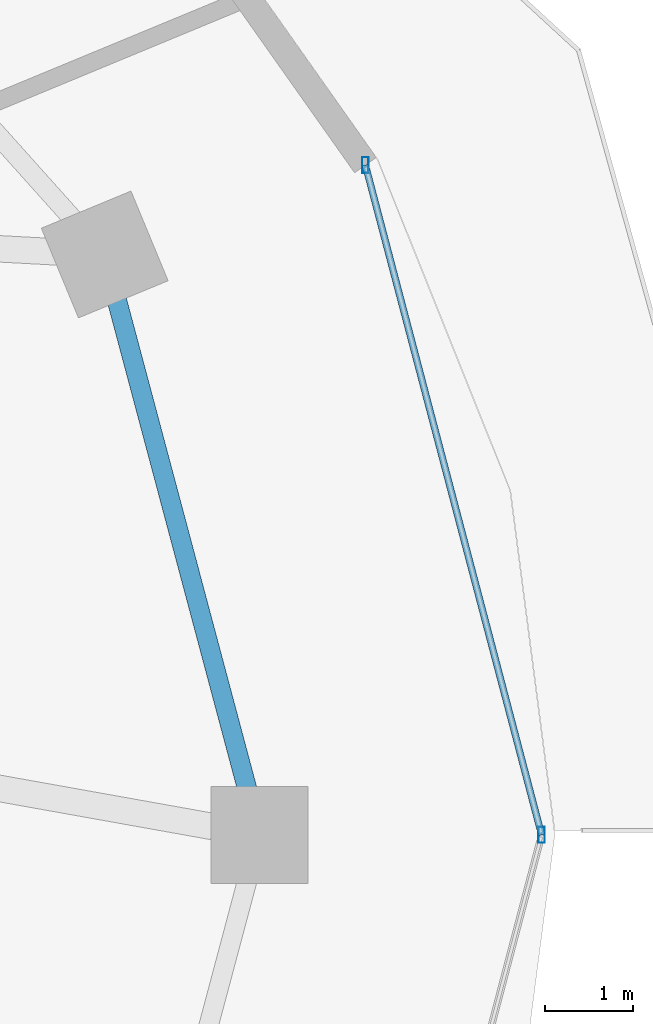
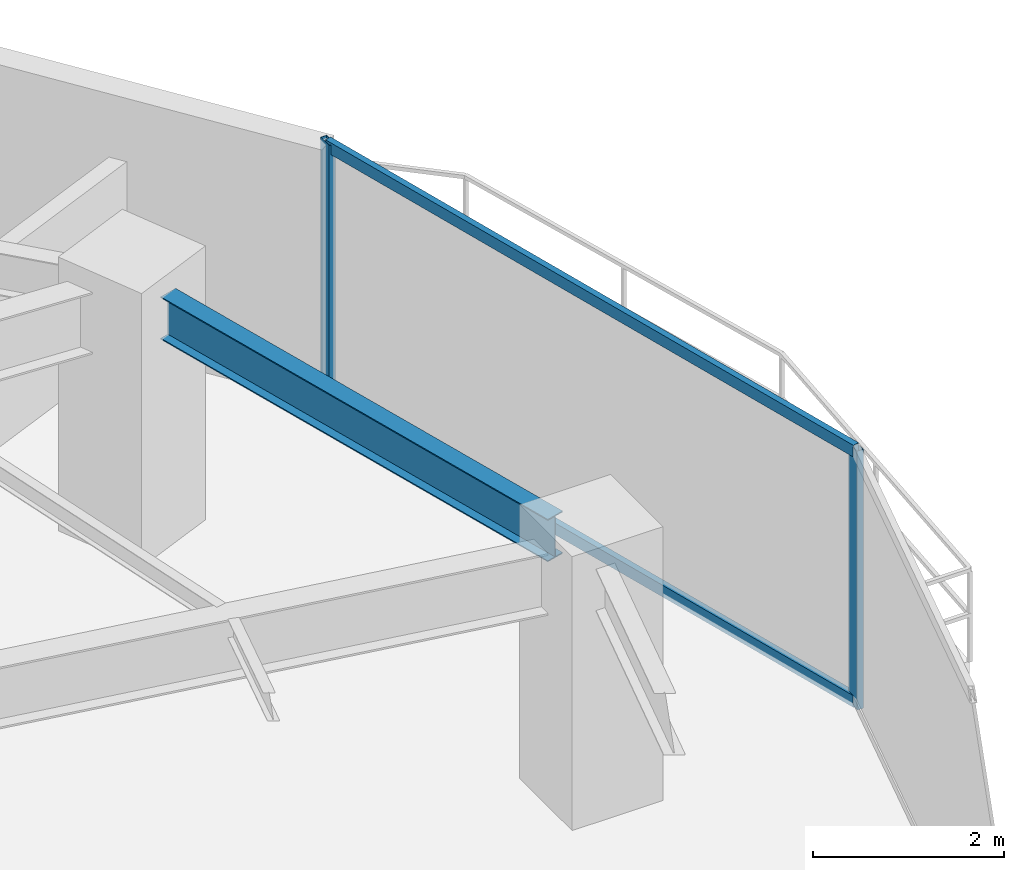
# One storey, part 16 of 30: 4 members, 1 beam, 1 element without a shape of its own.
"""IFC4 building model written with IfcOpenShell, lengths in metres."""

from ifc_helpers import new_model, si_unit, direction, frame, origin, origin_2d, place, context, subcontext, project, spatial, hollow_rectangle, i_section, extrude, material, material_profile, profile_set, type_object, element, aggregate, save


model = new_model("IFC4")

# Units and contexts
model_context = context("Model", 3, precision=1e-05, world=origin(), true_north=direction((0.0, 1.0)))
body_context = subcontext(model_context, "Body", "Model", "MODEL_VIEW")
ifc_project = project(units=[si_unit("LENGTHUNIT", "METRE"), si_unit("AREAUNIT", "SQUARE_METRE"), si_unit("VOLUMEUNIT", "CUBIC_METRE"), si_unit("PLANEANGLEUNIT", "RADIAN"), si_unit("MASSUNIT", "GRAM", prefix="KILO")], contexts=[model_context])

# Site, building, storey
site_placement = place(None, origin())
site = spatial("IfcSite", under=ifc_project, at=site_placement, CompositionType="ELEMENT")
building_placement = place(site_placement, origin())
building = spatial("IfcBuilding", under=site, at=building_placement, Name="Vorneva Point Tower", CompositionType="ELEMENT")
storey_placement = place(building_placement, frame((0.0, 0.0, 106.800048828125)))
storey = spatial("IfcBuildingStorey", under=building, at=storey_placement, Name="L28", CompositionType="ELEMENT", Elevation=106.800048828125)

# Beam
ifc_material_1 = material(Name="Steel S355", Category="steel")
ifc_material_profile_1 = material_profile(ifc_material_1, i_section(OverallWidth=0.219970703125, OverallDepth=0.54296875, WebThickness=0.009521484375, FlangeThickness=0.013427734375, at=origin_2d()), Name="55B1")
ifc_profile_set_1 = profile_set([ifc_material_profile_1], Name="Steel S355")
beam_type = type_object("IfcBeamType", Name="BM-SPN-55B1", PredefinedType="SPANDREL", material=ifc_profile_set_1)
beam_placement = place(storey_placement, frame((60.912109375, 26.516845703125, 2.968505859375), z_axis=(-0.257572674071, 0.966258928845, 0.0), x_axis=(-0.966258928845, -0.257572674071, 0.0)))
element("IfcBeam", 1, at=beam_placement, inside=storey, type_object=beam_type, Name="L28 Perimeter Spandrel Ring Beam 01", PredefinedType="SPANDREL", context=body_context, shape_type="SweptSolid", body=[
    extrude(i_section(OverallWidth=0.219970703125, OverallDepth=0.54296875, WebThickness=0.009521484375, FlangeThickness=0.013427734375, at=origin_2d()), origin(), (0.0, 0.0, 1.0), 5.7421875),
])

# Curtain wall, members
ifc_material_2 = material(Name="Pale anodised aluminium", Category="aluminium")
curtain_wall_type = type_object("IfcCurtainWallType", Name="CW-HTL-SYS", PredefinedType="NOTDEFINED", material=ifc_material_2)
curtain_wall_placement = place(storey_placement, origin())
curtain_wall = element("IfcCurtainWall", 2, at=curtain_wall_placement, inside=storey, type_object=curtain_wall_type, Name="L28 Unitised Curtain Wall CW-L28-R01", PredefinedType="NOTDEFINED")
ifc_material_profile_2 = material_profile(ifc_material_2, hollow_rectangle(XDim=0.074951171875, YDim=0.179931640625, WallThickness=0.00390625, at=origin_2d()), Name="AL-MUL 180x75x4")
ifc_profile_set_2 = profile_set([ifc_material_profile_2], Name="Pale anodised aluminium")
member_type_1 = type_object("IfcMemberType", Name="CW-MUL-180", PredefinedType="MULLION", material=ifc_profile_set_2)
member_1_placement = place(storey_placement, frame((64.25, 26.0, -0.0400390625), z_axis=(0.0, 0.0, 1.0), x_axis=(1.0, 0.0, 0.0)))
member_1 = element("IfcMember", 3, at=member_1_placement, type_object=member_type_1, Name="CW-L28-R01 Mullion 03", PredefinedType="MULLION", context=body_context, shape_type="SweptSolid", body=[
    extrude(hollow_rectangle(XDim=0.074951171875, YDim=0.179931640625, WallThickness=0.00390625, at=origin_2d()), origin(), (0.0, 0.0, 1.0), 3.31005859375),
])
member_2_placement = place(storey_placement, frame((62.251708984375, 33.59619140625, -0.0400390625), z_axis=(0.0, 0.0, 1.0), x_axis=(1.0, 0.0, 0.0)))
member_2 = element("IfcMember", 4, at=member_2_placement, type_object=member_type_1, Name="CW-L28-R01 Mullion 04", PredefinedType="MULLION", context=body_context, shape_type="SweptSolid", body=[
    extrude(hollow_rectangle(XDim=0.074951171875, YDim=0.179931640625, WallThickness=0.00390625, at=origin_2d()), origin(), (0.0, 0.0, 1.0), 3.31005859375),
])
ifc_material_profile_3 = material_profile(ifc_material_2, hollow_rectangle(XDim=0.074951171875, YDim=0.14990234375, WallThickness=0.00390625, at=origin_2d()), Name="AL-TRN 150x75x4")
ifc_profile_set_3 = profile_set([ifc_material_profile_3], Name="Pale anodised aluminium")
member_type_2 = type_object("IfcMemberType", Name="CW-TRN-150", PredefinedType="USERDEFINED", material=ifc_profile_set_3)
member_3_placement = place(storey_placement, frame((64.25, 26.0, 0.02001953125), z_axis=(-0.254409150465, 0.967096677773, 0.0), x_axis=(-0.967096677773, -0.254409150465, 0.0)))
member_3 = element("IfcMember", 5, at=member_3_placement, type_object=member_type_2, Name="CW-L28-R01 Transom 03.1", ObjectType="TRANSOM", PredefinedType="USERDEFINED", context=body_context, shape_type="SweptSolid", body=[
    extrude(hollow_rectangle(XDim=0.074951171875, YDim=0.14990234375, WallThickness=0.00390625, at=origin_2d()), origin(), (0.0, 0.0, 1.0), 7.854736328125),
])
member_4_placement = place(storey_placement, frame((64.25, 26.0, 3.219970703125), z_axis=(-0.254409150465, 0.967096677773, 0.0), x_axis=(-0.967096677773, -0.254409150465, 0.0)))
member_4 = element("IfcMember", 6, at=member_4_placement, type_object=member_type_2, Name="CW-L28-R01 Transom 03.2", ObjectType="TRANSOM", PredefinedType="USERDEFINED", context=body_context, shape_type="SweptSolid", body=[
    extrude(hollow_rectangle(XDim=0.074951171875, YDim=0.14990234375, WallThickness=0.00390625, at=origin_2d()), origin(), (0.0, 0.0, 1.0), 7.854736328125),
])
aggregate(curtain_wall, [member_1, member_2, member_3, member_4])

save(model, "model.ifc")
